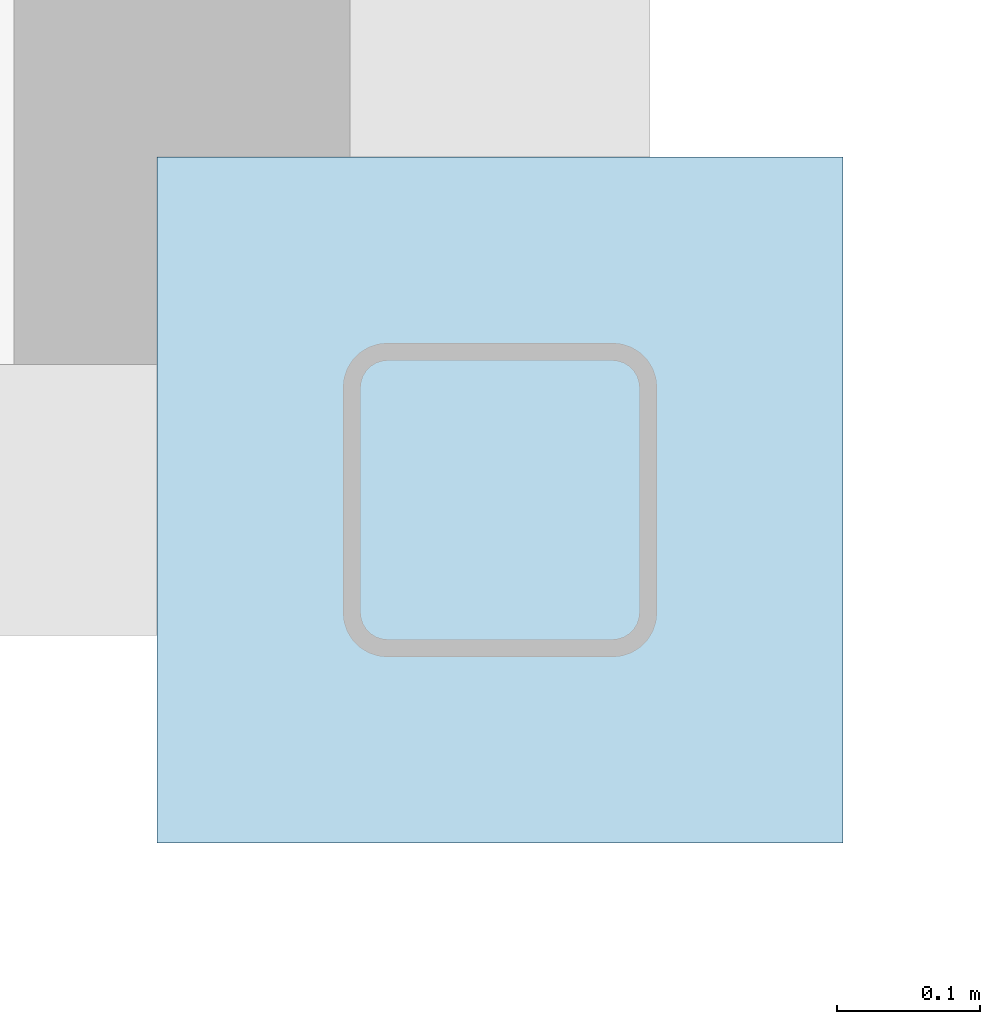
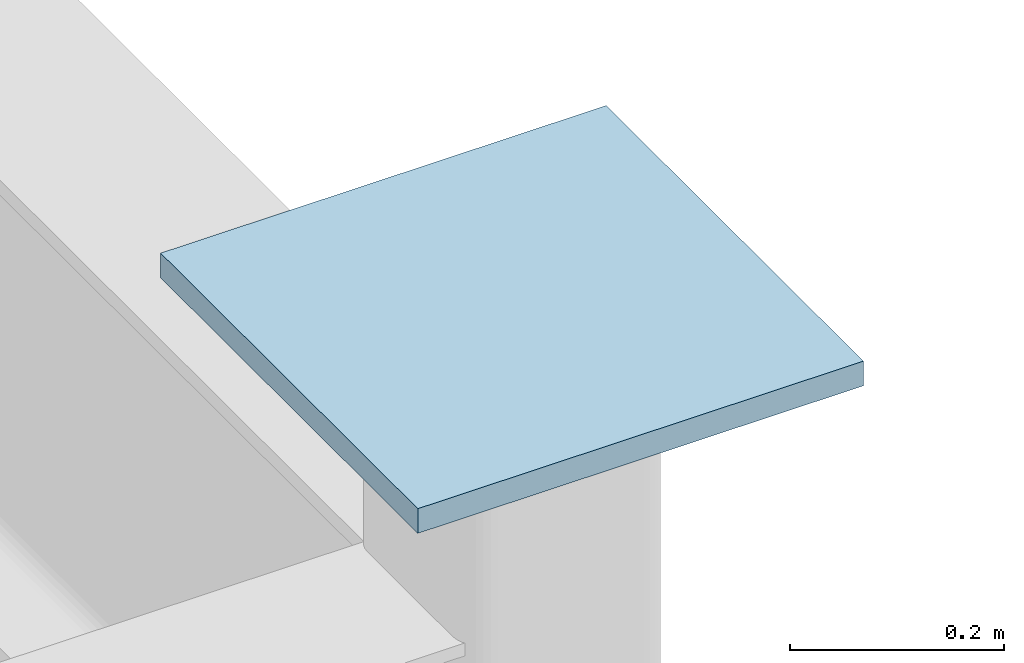
# One storey, part 51 of 70: 1 plate.
"""IFC4 building model written with IfcOpenShell, lengths in metres."""

from ifc_helpers import new_model, si_unit, derived_unit, direction, frame, origin, origin_2d, place, context, subcontext, project, spatial, rectangle, extrude, material, layer, layer_set, type_object, element, save


model = new_model("IFC4")

# Units and contexts
model_context = context("Model", 3, precision=1e-05, world=origin(), true_north=direction((0.0, 1.0)))
body_context = subcontext(model_context, "Body", "Model", "MODEL_VIEW")
ifc_project = project(units=[si_unit("LENGTHUNIT", "METRE"), si_unit("AREAUNIT", "SQUARE_METRE"), si_unit("VOLUMEUNIT", "CUBIC_METRE"), si_unit("PLANEANGLEUNIT", "RADIAN"), si_unit("MASSUNIT", "GRAM", prefix="KILO"), derived_unit("THERMALTRANSMITTANCEUNIT", [(si_unit("POWERUNIT", "WATT"), 1), (si_unit("AREAUNIT", "SQUARE_METRE"), -1), (si_unit("THERMODYNAMICTEMPERATUREUNIT", "KELVIN"), -1)])], contexts=[model_context])

# Site, building, storey
site_placement = place(None, origin())
site = spatial("IfcSite", under=ifc_project, at=site_placement, CompositionType="ELEMENT")
building_placement = place(site_placement, origin())
building = spatial("IfcBuilding", under=site, at=building_placement, Name="Yasenodar Specialist Clinic", CompositionType="ELEMENT")
storey_placement = place(building_placement, frame((0.0, 0.0, 13.199951171875)))
storey = spatial("IfcBuildingStorey", under=building, at=storey_placement, Name="L03", CompositionType="ELEMENT", Elevation=13.199951171875)

# Plate
ifc_material = material(Name="Steel S355", Category="steel")
ifc_layer = layer(ifc_material, 0.028076171875)
ifc_layer_set = layer_set([ifc_layer], Name="Steel S355")
plate_type = type_object("IfcPlateType", Name="PL-STEEL-06", PredefinedType="USERDEFINED", material=ifc_layer_set)
plate_placement = place(storey_placement, frame((121.800048828125, 82.800048828125, 4.0498046875), z_axis=(0.0, 0.0, 1.0), x_axis=(1.0, 0.0, 0.0)))
element("IfcPlate", 1, at=plate_placement, inside=storey, type_object=plate_type, Name="L03 Hollow Column Top Cap Plate 019", ObjectType="CAP_PLATE", PredefinedType="USERDEFINED", context=body_context, shape_type="SweptSolid", body=[
    extrude(rectangle(XDim=0.47998046875, YDim=0.47998046875, at=origin_2d()), origin(), (0.0, 0.0, 1.0), 0.028076171875),
])

save(model, "model.ifc")
